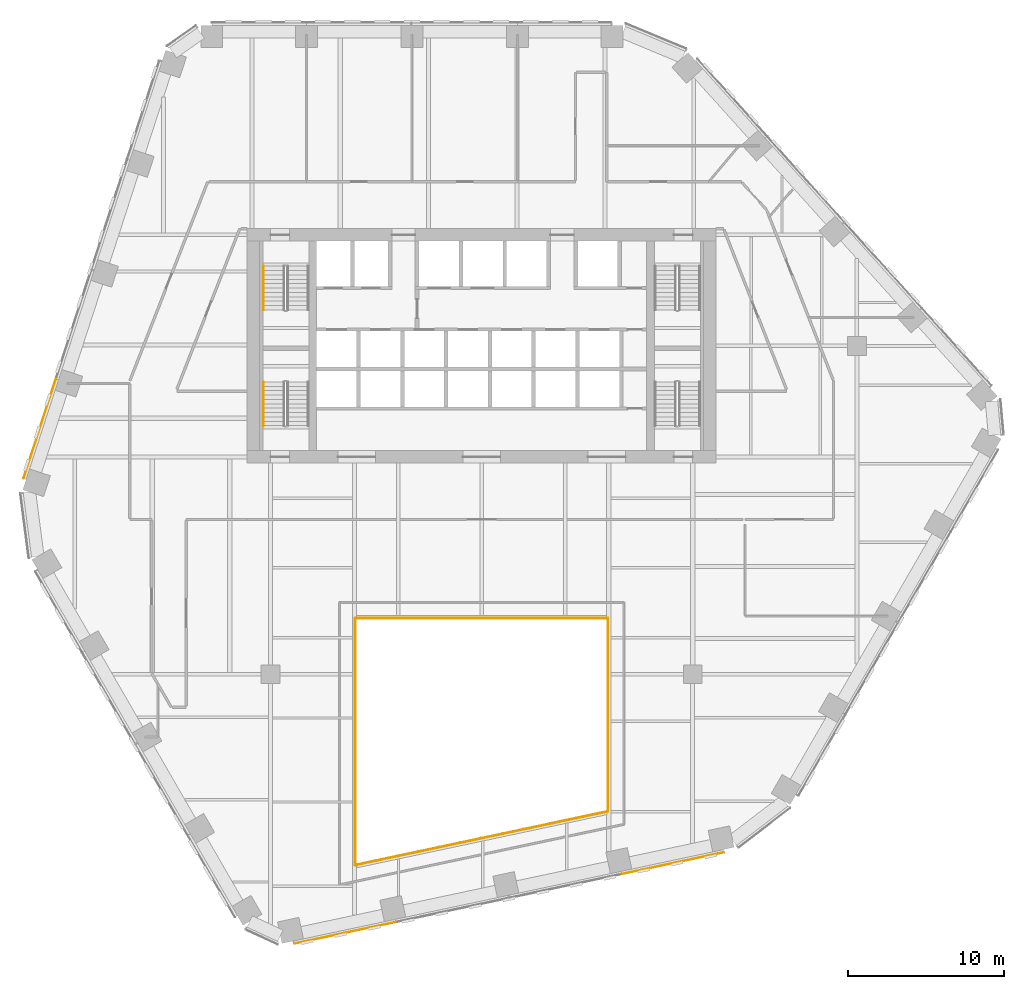
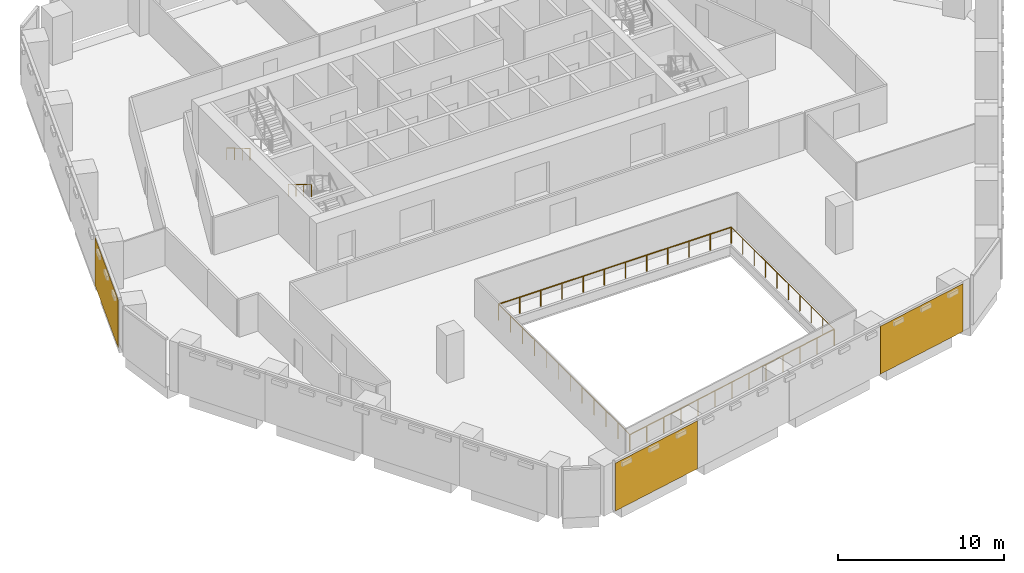
# One storey, part 15 of 17: 6 railings, 3 coverings, 2 elements without a shape of their own.
"""IFC4 building model written with IfcOpenShell, lengths in metres."""

from ifc_helpers import new_model, si_unit, direction, frame, origin, origin_2d, place, context, subcontext, project, spatial, rectangle, circle, extrude, material, layer, layer_set, type_object, element, aggregate, save


model = new_model("IFC4")

# Units and contexts
model_context = context("Model", 3, precision=1e-05, world=origin(), true_north=direction((0.0, 1.0)))
body_context = subcontext(model_context, "Body", "Model", "MODEL_VIEW")
ifc_project = project(units=[si_unit("LENGTHUNIT", "METRE"), si_unit("AREAUNIT", "SQUARE_METRE"), si_unit("VOLUMEUNIT", "CUBIC_METRE"), si_unit("PLANEANGLEUNIT", "RADIAN"), si_unit("MASSUNIT", "GRAM", prefix="KILO")], contexts=[model_context])

# Site, building, storey
site_placement = place(None, origin())
site = spatial("IfcSite", under=ifc_project, at=site_placement, CompositionType="ELEMENT")
building_placement = place(site_placement, origin())
building = spatial("IfcBuilding", under=site, at=building_placement, Name="Isthmus Gate Tower", CompositionType="ELEMENT")
storey_placement = place(building_placement, frame((0.0, 0.0, 126.14990234375)))
storey = spatial("IfcBuildingStorey", under=building, at=storey_placement, Name="L30", CompositionType="ELEMENT", Elevation=126.14990234375)

# Railings
ifc_material_1 = material(Name="Laminated toughened glass balustrade with steel rail", Category="steel")
railing_type_1 = type_object("IfcRailingType", Name="ATRIUM GUARD GLASS BALUSTRADE 1200", PredefinedType="GUARDRAIL", material=ifc_material_1)
railing_1_placement = place(storey_placement, frame((-8.080078125, -25.7099609375, 0.0)))
element("IfcRailing", 1, at=railing_1_placement, inside=storey, type_object=railing_type_1, Name="L30 atrium guard", PredefinedType="GUARDRAIL", context=body_context, shape_type="SweptSolid", body=[
    extrude(circle(Radius=0.02490234375, at=origin_2d()), frame((0.0, 0.0, 1.1748046875), z_axis=(0.0, 1.0, 0.0), x_axis=(-1.0, 0.0, 0.0)), (0.0, 0.0, 1.0), 15.7900390625),
    extrude(circle(Radius=0.02490234375, at=origin_2d()), origin(), (0.0, 0.0, 1.0), 1.14990234375),
    extrude(circle(Radius=0.02490234375, at=origin_2d()), frame((0.0, 1.435546875, 0.0)), (0.0, 0.0, 1.0), 1.14990234375),
    extrude(circle(Radius=0.02490234375, at=origin_2d()), frame((0.0, 2.870849609375, 0.0)), (0.0, 0.0, 1.0), 1.14990234375),
    extrude(circle(Radius=0.02490234375, at=origin_2d()), frame((0.0, 4.306396484375, 0.0)), (0.0, 0.0, 1.0), 1.14990234375),
    extrude(circle(Radius=0.02490234375, at=origin_2d()), frame((0.0, 5.741943359375, 0.0)), (0.0, 0.0, 1.0), 1.14990234375),
    extrude(circle(Radius=0.02490234375, at=origin_2d()), frame((0.0, 7.17724609375, 0.0)), (0.0, 0.0, 1.0), 1.14990234375),
    extrude(circle(Radius=0.02490234375, at=origin_2d()), frame((0.0, 8.61279296875, 0.0)), (0.0, 0.0, 1.0), 1.14990234375),
    extrude(circle(Radius=0.02490234375, at=origin_2d()), frame((0.0, 10.048095703125, 0.0)), (0.0, 0.0, 1.0), 1.14990234375),
    extrude(circle(Radius=0.02490234375, at=origin_2d()), frame((0.0, 11.483642578125, 0.0)), (0.0, 0.0, 1.0), 1.14990234375),
    extrude(circle(Radius=0.02490234375, at=origin_2d()), frame((0.0, 12.919189453125, 0.0)), (0.0, 0.0, 1.0), 1.14990234375),
    extrude(circle(Radius=0.02490234375, at=origin_2d()), frame((0.0, 14.3544921875, 0.0)), (0.0, 0.0, 1.0), 1.14990234375),
    extrude(circle(Radius=0.02490234375, at=origin_2d()), frame((0.0, 15.7900390625, 0.0)), (0.0, 0.0, 1.0), 1.14990234375),
])
railing_2_placement = place(storey_placement, frame((-8.080078125, -9.919921875, 0.0)))
element("IfcRailing", 2, at=railing_2_placement, inside=storey, type_object=railing_type_1, Name="L30 atrium guard", PredefinedType="GUARDRAIL", context=body_context, shape_type="SweptSolid", body=[
    extrude(circle(Radius=0.02490234375, at=origin_2d()), frame((0.0, 0.0, 1.1748046875), z_axis=(1.0, 0.0, 0.0), x_axis=(0.0, 1.0, 0.0)), (0.0, 0.0, 1.0), 16.16015625),
    extrude(circle(Radius=0.02490234375, at=origin_2d()), origin(), (0.0, 0.0, 1.0), 1.14990234375),
    extrude(circle(Radius=0.02490234375, at=origin_2d()), frame((1.468994140625, 0.0, 0.0)), (0.0, 0.0, 1.0), 1.14990234375),
    extrude(circle(Radius=0.02490234375, at=origin_2d()), frame((2.938232421875, 0.0, 0.0)), (0.0, 0.0, 1.0), 1.14990234375),
    extrude(circle(Radius=0.02490234375, at=origin_2d()), frame((4.4072265625, 0.0, 0.0)), (0.0, 0.0, 1.0), 1.14990234375),
    extrude(circle(Radius=0.02490234375, at=origin_2d()), frame((5.87646484375, 0.0, 0.0)), (0.0, 0.0, 1.0), 1.14990234375),
    extrude(circle(Radius=0.02490234375, at=origin_2d()), frame((7.345458984375, 0.0, 0.0)), (0.0, 0.0, 1.0), 1.14990234375),
    extrude(circle(Radius=0.02490234375, at=origin_2d()), frame((8.814697265625, 0.0, 0.0)), (0.0, 0.0, 1.0), 1.14990234375),
    extrude(circle(Radius=0.02490234375, at=origin_2d()), frame((10.28369140625, 0.0, 0.0)), (0.0, 0.0, 1.0), 1.14990234375),
    extrude(circle(Radius=0.02490234375, at=origin_2d()), frame((11.7529296875, 0.0, 0.0)), (0.0, 0.0, 1.0), 1.14990234375),
    extrude(circle(Radius=0.02490234375, at=origin_2d()), frame((13.221923828125, 0.0, 0.0)), (0.0, 0.0, 1.0), 1.14990234375),
    extrude(circle(Radius=0.02490234375, at=origin_2d()), frame((14.691162109375, 0.0, 0.0)), (0.0, 0.0, 1.0), 1.14990234375),
    extrude(circle(Radius=0.02490234375, at=origin_2d()), frame((16.16015625, 0.0, 0.0)), (0.0, 0.0, 1.0), 1.14990234375),
])
railing_3_placement = place(storey_placement, frame((8.080078125, -9.919921875, 0.0)))
element("IfcRailing", 3, at=railing_3_placement, inside=storey, type_object=railing_type_1, Name="L30 atrium guard", PredefinedType="GUARDRAIL", context=body_context, shape_type="SweptSolid", body=[
    extrude(circle(Radius=0.02490234375, at=origin_2d()), frame((0.0, 0.0, 1.1748046875), z_axis=(0.0, -1.0, 0.0), x_axis=(1.0, 0.0, 0.0)), (0.0, 0.0, 1.0), 12.35498046875),
    extrude(circle(Radius=0.02490234375, at=origin_2d()), origin(), (0.0, 0.0, 1.0), 1.14990234375),
    extrude(circle(Radius=0.02490234375, at=origin_2d()), frame((0.0, -1.372802734375, 0.0)), (0.0, 0.0, 1.0), 1.14990234375),
    extrude(circle(Radius=0.02490234375, at=origin_2d()), frame((0.0, -2.74560546875, 0.0)), (0.0, 0.0, 1.0), 1.14990234375),
    extrude(circle(Radius=0.02490234375, at=origin_2d()), frame((0.0, -4.118408203125, 0.0)), (0.0, 0.0, 1.0), 1.14990234375),
    extrude(circle(Radius=0.02490234375, at=origin_2d()), frame((0.0, -5.4912109375, 0.0)), (0.0, 0.0, 1.0), 1.14990234375),
    extrude(circle(Radius=0.02490234375, at=origin_2d()), frame((0.0, -6.86376953125, 0.0)), (0.0, 0.0, 1.0), 1.14990234375),
    extrude(circle(Radius=0.02490234375, at=origin_2d()), frame((0.0, -8.236572265625, 0.0)), (0.0, 0.0, 1.0), 1.14990234375),
    extrude(circle(Radius=0.02490234375, at=origin_2d()), frame((0.0, -9.609375, 0.0)), (0.0, 0.0, 1.0), 1.14990234375),
    extrude(circle(Radius=0.02490234375, at=origin_2d()), frame((0.0, -10.982177734375, 0.0)), (0.0, 0.0, 1.0), 1.14990234375),
    extrude(circle(Radius=0.02490234375, at=origin_2d()), frame((0.0, -12.35498046875, 0.0)), (0.0, 0.0, 1.0), 1.14990234375),
])
railing_4_placement = place(storey_placement, frame((8.080078125, -22.27490234375, 0.0)))
element("IfcRailing", 4, at=railing_4_placement, inside=storey, type_object=railing_type_1, Name="L30 atrium guard", PredefinedType="GUARDRAIL", context=body_context, shape_type="SweptSolid", body=[
    extrude(circle(Radius=0.02490234375, at=origin_2d()), frame((0.0, 0.0, 1.1748046875), z_axis=(-0.978146230105, -0.207918139013, 0.0), x_axis=(0.207918139013, -0.978146230105, 0.0)), (0.0, 0.0, 1.0), 16.521240234375),
    extrude(circle(Radius=0.02490234375, at=origin_2d()), origin(), (0.0, 0.0, 1.0), 1.14990234375),
    extrude(circle(Radius=0.02490234375, at=origin_2d()), frame((-1.3466796875, -0.2861328125, 0.0)), (0.0, 0.0, 1.0), 1.14990234375),
    extrude(circle(Radius=0.02490234375, at=origin_2d()), frame((-2.693359375, -0.572509765625, 0.0)), (0.0, 0.0, 1.0), 1.14990234375),
    extrude(circle(Radius=0.02490234375, at=origin_2d()), frame((-4.0400390625, -0.85888671875, 0.0)), (0.0, 0.0, 1.0), 1.14990234375),
    extrude(circle(Radius=0.02490234375, at=origin_2d()), frame((-5.38671875, -1.14501953125, 0.0)), (0.0, 0.0, 1.0), 1.14990234375),
    extrude(circle(Radius=0.02490234375, at=origin_2d()), frame((-6.7333984375, -1.43115234375, 0.0)), (0.0, 0.0, 1.0), 1.14990234375),
    extrude(circle(Radius=0.02490234375, at=origin_2d()), frame((-8.080078125, -1.717529296875, 0.0)), (0.0, 0.0, 1.0), 1.14990234375),
    extrude(circle(Radius=0.02490234375, at=origin_2d()), frame((-9.4267578125, -2.00390625, 0.0)), (0.0, 0.0, 1.0), 1.14990234375),
    extrude(circle(Radius=0.02490234375, at=origin_2d()), frame((-10.7734375, -2.2900390625, 0.0)), (0.0, 0.0, 1.0), 1.14990234375),
    extrude(circle(Radius=0.02490234375, at=origin_2d()), frame((-12.1201171875, -2.576171875, 0.0)), (0.0, 0.0, 1.0), 1.14990234375),
    extrude(circle(Radius=0.02490234375, at=origin_2d()), frame((-13.466796875, -2.862548828125, 0.0)), (0.0, 0.0, 1.0), 1.14990234375),
    extrude(circle(Radius=0.02490234375, at=origin_2d()), frame((-14.8134765625, -3.14892578125, 0.0)), (0.0, 0.0, 1.0), 1.14990234375),
    extrude(circle(Radius=0.02490234375, at=origin_2d()), frame((-16.16015625, -3.43505859375, 0.0)), (0.0, 0.0, 1.0), 1.14990234375),
])

# Curtain wall, covering
ifc_material_2 = material(Name="Aluminium, pale champagne anodised", Category="aluminium")
ifc_layer_1 = layer(ifc_material_2, 0.199951171875)
ifc_layer_set_1 = layer_set([ifc_layer_1], Name="CW-1 UNITISED CURTAIN WALL 200 DEEP")
curtain_wall_type = type_object("IfcCurtainWallType", Name="CW-1 UNITISED CURTAIN WALL 200 DEEP", PredefinedType="NOTDEFINED", material=ifc_layer_set_1)
curtain_wall_1_placement = place(storey_placement, origin())
curtain_wall_1 = element("IfcCurtainWall", 5, at=curtain_wall_1_placement, inside=storey, type_object=curtain_wall_type, Name="CW-1 NW L30", PredefinedType="NOTDEFINED")
ifc_material_3 = material(Name="Aluminium composite panel, pale champagne anodised", Category="aluminium")
ifc_layer_2 = layer(ifc_material_3, 0.035888671875)
ifc_layer_set_2 = layer_set([ifc_layer_2], Name="CW-1 PALE METAL PANEL 36")
covering_type = type_object("IfcCoveringType", Name="CW-1 PALE METAL PANEL 36", PredefinedType="CLADDING", material=ifc_layer_set_2)
covering_1_placement = place(storey_placement, frame((-28.2734375, 2.202392578125, 0.0), z_axis=(0.0, 0.0, 1.0), x_axis=(-0.309016994375, -0.951056516295, 0.0)))
covering_1 = element("IfcCovering", 6, at=covering_1_placement, type_object=covering_type, Name="CW-1 pale metal panel", PredefinedType="CLADDING", context=body_context, shape_type="SweptSolid", body=[
    extrude(rectangle(XDim=6.690673828125, YDim=0.035888671875, at=origin_2d()), origin(), (0.0, 0.0, 1.0), 3.510009765625),
])
aggregate(curtain_wall_1, [covering_1])

# Curtain wall, coverings
curtain_wall_2_placement = place(storey_placement, origin())
curtain_wall_2 = element("IfcCurtainWall", 7, at=curtain_wall_2_placement, inside=storey, type_object=curtain_wall_type, Name="CW-1 S L30", PredefinedType="NOTDEFINED")
covering_2_placement = place(storey_placement, frame((-8.744384765625, -30.044677734375, 0.0), z_axis=(0.0, 0.0, 1.0), x_axis=(0.978147600734, 0.207911690818, 0.0)))
covering_2 = element("IfcCovering", 8, at=covering_2_placement, type_object=covering_type, Name="CW-1 pale metal panel", PredefinedType="CLADDING", context=body_context, shape_type="SweptSolid", body=[
    extrude(rectangle(XDim=6.630859375, YDim=0.035888671875, at=origin_2d()), origin(), (0.0, 0.0, 1.0), 3.510009765625),
])
covering_3_placement = place(storey_placement, frame((12.2294921875, -25.586669921875, 0.0), z_axis=(0.0, 0.0, 1.0), x_axis=(0.978147600734, 0.207911690818, 0.0)))
covering_3 = element("IfcCovering", 9, at=covering_3_placement, type_object=covering_type, Name="CW-1 pale metal panel", PredefinedType="CLADDING", context=body_context, shape_type="SweptSolid", body=[
    extrude(rectangle(XDim=6.690673828125, YDim=0.035888671875, at=origin_2d()), origin(), (0.0, 0.0, 1.0), 3.510009765625),
])
aggregate(curtain_wall_2, [covering_2, covering_3])

# Railings
ifc_material_4 = material(Name="Stainless steel handrail", Category="steel")
railing_type_2 = type_object("IfcRailingType", Name="STAIR HANDRAIL 900", PredefinedType="HANDRAIL", material=ifc_material_4)
for number, where, name in (
    (10, (-13.949951171875, 12.60009765625, 0.166015625), "L30 ST1 stair handrail 1"),
    (11, (-13.949951171875, 5.199951171875, 1.990966796875), "L30 ST7 stair handrail 2"),
):
    element("IfcRailing", number, at=place(storey_placement, frame(where)), inside=storey, type_object=railing_type_2, Name=name, PredefinedType="HANDRAIL", context=body_context, shape_type="SweptSolid", body=[
        extrude(circle(Radius=0.02392578125, at=origin_2d()), frame((0.0, 0.0, 0.8759765625), z_axis=(0.0, -0.860306154799, 0.50977771628), x_axis=(1.0, 0.0, 0.0)), (0.0, 0.0, 1.0), 3.254638671875),
        extrude(circle(Radius=0.02099609375, at=origin_2d()), origin(), (0.0, 0.0, 1.0), 0.851806640625),
        extrude(circle(Radius=0.02099609375, at=origin_2d()), frame((0.0, -0.933349609375, 0.552978515625)), (0.0, 0.0, 1.0), 0.851806640625),
        extrude(circle(Radius=0.02099609375, at=origin_2d()), frame((0.0, -1.86669921875, 1.106201171875)), (0.0, 0.0, 1.0), 0.851806640625),
        extrude(circle(Radius=0.02099609375, at=origin_2d()), frame((0.0, -2.800048828125, 1.6591796875)), (0.0, 0.0, 1.0), 0.851806640625),
    ])

save(model, "model.ifc")
